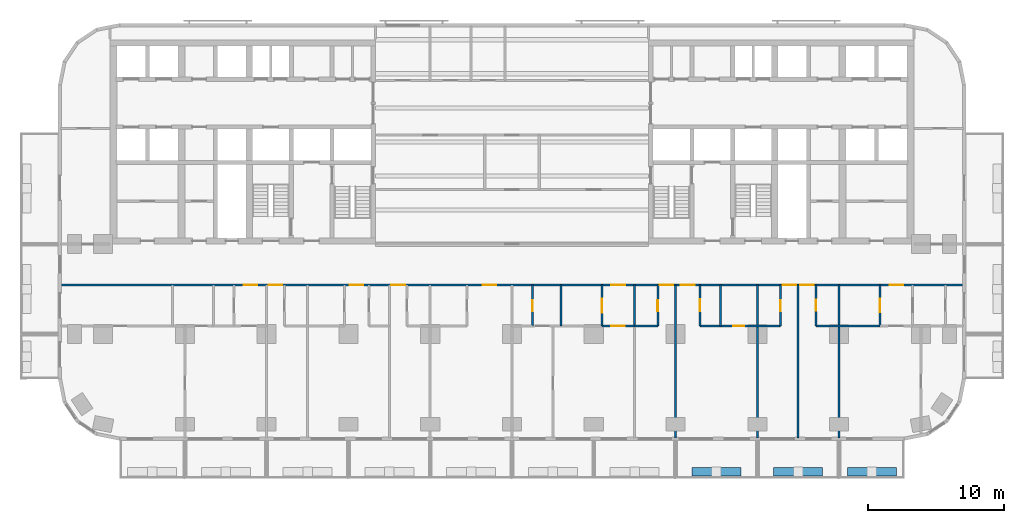
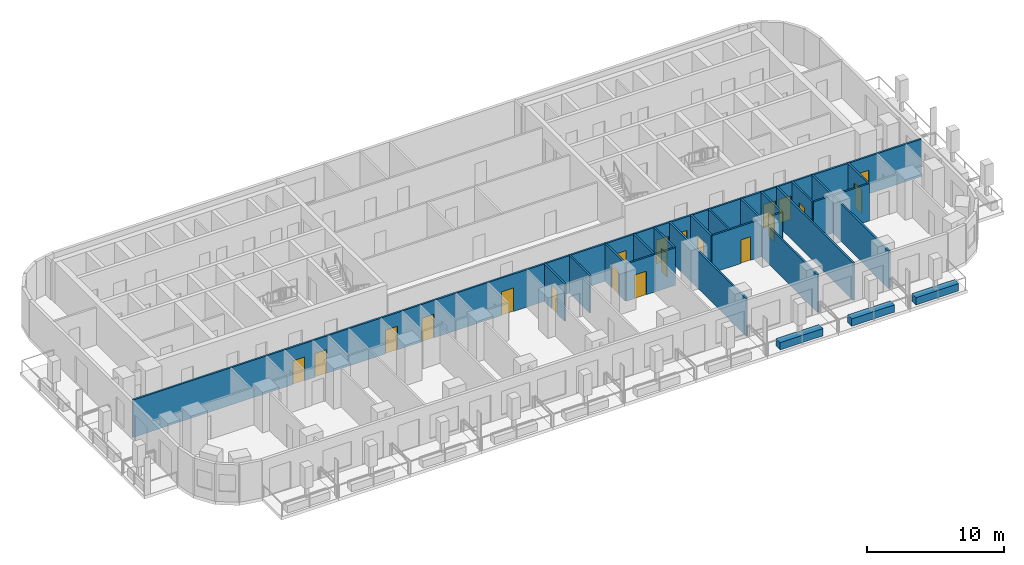
# One storey, part 6 of 15: 22 walls, 20 doors, 20 openings.
"""IFC4 building model written with IfcOpenShell, lengths in metres."""

from ifc_helpers import new_model, si_unit, direction, frame, frame_2d, origin, place, context, subcontext, project, spatial, rectangle, extrude, material, layer, layer_set, type_object, element, fill, save


model = new_model("IFC4")

# Units and contexts
model_context = context("Model", 3, precision=1e-05, world=origin(), true_north=direction((0.0, 1.0)))
body_context = subcontext(model_context, "Body", "Model", "MODEL_VIEW")
ifc_project = project(units=[si_unit("LENGTHUNIT", "METRE"), si_unit("AREAUNIT", "SQUARE_METRE"), si_unit("VOLUMEUNIT", "CUBIC_METRE"), si_unit("PLANEANGLEUNIT", "RADIAN"), si_unit("MASSUNIT", "GRAM", prefix="KILO")], contexts=[model_context])

# Site, building, storey
site_placement = place(None, origin())
site = spatial("IfcSite", under=ifc_project, at=site_placement, CompositionType="ELEMENT")
building_placement = place(site_placement, origin())
building = spatial("IfcBuilding", under=site, at=building_placement, Name="Torana Hotel and Residences", CompositionType="ELEMENT")
storey_placement = place(building_placement, frame((0.0, 0.0, 67.199951171875)))
storey = spatial("IfcBuildingStorey", under=building, at=storey_placement, Name="L16", CompositionType="ELEMENT", Elevation=67.199951171875)

# Wall, opening, door
ifc_material_1 = material(Name="Gypsum plaster")
ifc_layer_1 = layer(ifc_material_1, 0.014892578125, Name="Plaster", Category="finish")
ifc_material_2 = material(Name="Concrete blockwork", Category="masonry")
ifc_layer_2 = layer(ifc_material_2, 0.1201171875, Name="Blockwork", Category="structure")
ifc_layer_3 = layer(ifc_material_1, 0.014892578125, Name="Plaster", Category="finish")
ifc_layer_set_1 = layer_set([ifc_layer_1, ifc_layer_2, ifc_layer_3], Name="FIRE PARTITION 150 BLOCKWORK")
wall_type_1 = type_object("IfcWallType", Name="FIRE PARTITION 150 BLOCKWORK", PredefinedType="PARTITIONING", material=ifc_layer_set_1)
wall_1_placement = place(storey_placement, frame((27.0, -21.0, 0.0), z_axis=(0.0, 0.0, 1.0), x_axis=(0.0, 1.0, 0.0)))
wall_1 = element("IfcWall", 1, at=wall_1_placement, inside=storey, type_object=wall_type_1, Name="Partition L16", PredefinedType="PARTITIONING", context=body_context, shape_type="SweptSolid", body=[
    extrude(rectangle(XDim=3.0, YDim=0.14990234375, at=frame_2d((1.5, 0.0))), origin(), (0.0, 0.0, 1.0), 3.320068359375),
])
opening_1_placement = place(wall_1_placement, frame((1.0, 0.0, 0.0)))
opening_1 = element("IfcOpeningElement", 2, at=opening_1_placement, cuts=wall_1, Name="Opening L16-81", PredefinedType="OPENING", context=body_context, shape_type="SweptSolid", body=[
    extrude(rectangle(XDim=1.0, YDim=2.10009765625, at=frame_2d((0.5, 1.050048828125))), frame((0.0, 0.0849609375, 0.0), z_axis=(0.0, -1.0, 0.0), x_axis=(1.0, 0.0, 0.0)), (0.0, 0.0, 1.0), 0.169921875),
])
ifc_material_3 = material(Name="Steel S235", Category="steel")
door_type_1 = type_object("IfcDoorType", Name="ENTRY FIRE DOOR D6 1000x2100", OperationType="SINGLE_SWING_LEFT", PredefinedType="DOOR", material=ifc_material_3)
door_1_placement = place(opening_1_placement, origin())
door_1 = element("IfcDoor", 3, at=door_1_placement, inside=storey, type_object=door_type_1, Name="Door L16", OperationType="SINGLE_SWING_RIGHT", OverallHeight=2.10009765625, OverallWidth=1.0, PredefinedType="DOOR", context=body_context, shape_type="SweptSolid", body=[
    extrude(rectangle(XDim=1.0, YDim=2.10009765625, at=frame_2d((0.5, 1.050048828125))), frame((0.0, 0.02490234375, 0.0), z_axis=(0.0, -1.0, 0.0), x_axis=(1.0, 0.0, 0.0)), (0.0, 0.0, 1.0), 0.050048828125),
])
fill(opening_1, door_1)

# Wall
wall_2_placement = place(storey_placement, frame((9.0, -21.0, 0.0), z_axis=(0.0, 0.0, 1.0), x_axis=(0.0, 1.0, 0.0)))
element("IfcWall", 4, at=wall_2_placement, inside=storey, type_object=wall_type_1, Name="Partition L16", PredefinedType="PARTITIONING", context=body_context, shape_type="SweptSolid", body=[
    extrude(rectangle(XDim=3.0, YDim=0.14990234375, at=frame_2d((1.5, 0.0))), origin(), (0.0, 0.0, 1.0), 3.320068359375),
])

# Wall, opening, door
wall_3_placement = place(storey_placement, frame((6.60009765625, -21.0, 0.0), z_axis=(0.0, 0.0, 1.0), x_axis=(0.0, 1.0, 0.0)))
wall_3 = element("IfcWall", 5, at=wall_3_placement, inside=storey, type_object=wall_type_1, Name="Partition L16", PredefinedType="PARTITIONING", context=body_context, shape_type="SweptSolid", body=[
    extrude(rectangle(XDim=3.0, YDim=0.14990234375, at=frame_2d((1.5, 0.0))), origin(), (0.0, 0.0, 1.0), 3.320068359375),
])
opening_2_placement = place(wall_3_placement, frame((0.97998046875, 0.0, 0.0)))
opening_2 = element("IfcOpeningElement", 6, at=opening_2_placement, cuts=wall_3, Name="Opening L16-68", PredefinedType="OPENING", context=body_context, shape_type="SweptSolid", body=[
    extrude(rectangle(XDim=1.0, YDim=2.10009765625, at=frame_2d((0.5, 1.050048828125))), frame((0.0, 0.0849609375, 0.0), z_axis=(0.0, -1.0, 0.0), x_axis=(1.0, 0.0, 0.0)), (0.0, 0.0, 1.0), 0.169921875),
])
door_2_placement = place(opening_2_placement, origin())
door_2 = element("IfcDoor", 7, at=door_2_placement, inside=storey, type_object=door_type_1, Name="Door L16", OperationType="SINGLE_SWING_RIGHT", OverallHeight=2.10009765625, OverallWidth=1.0, PredefinedType="DOOR", context=body_context, shape_type="SweptSolid", body=[
    extrude(rectangle(XDim=1.0, YDim=2.10009765625, at=frame_2d((0.5, 1.050048828125))), frame((0.0, 0.02490234375, 0.0), z_axis=(0.0, -1.0, 0.0), x_axis=(1.0, 0.0, 0.0)), (0.0, 0.0, 1.0), 0.050048828125),
])
fill(opening_2, door_2)

wall_4_placement = place(storey_placement, frame((6.60009765625, -21.0, 0.0), z_axis=(0.0, 0.0, 1.0), x_axis=(1.0, 0.0, 0.0)))
wall_4 = element("IfcWall", 8, at=wall_4_placement, inside=storey, type_object=wall_type_1, Name="Partition L16", PredefinedType="PARTITIONING", context=body_context, shape_type="SweptSolid", body=[
    extrude(rectangle(XDim=2.39990234375, YDim=0.14990234375, at=frame_2d((1.199951171875, 0.0))), origin(), (0.0, 0.0, 1.0), 3.320068359375),
])
opening_3_placement = place(wall_4_placement, frame((0.679931640625, 0.0, 0.0)))
opening_3 = element("IfcOpeningElement", 9, at=opening_3_placement, cuts=wall_4, Name="Opening L16-69", PredefinedType="OPENING", context=body_context, shape_type="SweptSolid", body=[
    extrude(rectangle(XDim=1.0, YDim=2.10009765625, at=frame_2d((0.5, 1.050048828125))), frame((0.0, 0.0849609375, 0.0), z_axis=(0.0, -1.0, 0.0), x_axis=(1.0, 0.0, 0.0)), (0.0, 0.0, 1.0), 0.169921875),
])
door_3_placement = place(opening_3_placement, frame((0.5, 0.0, 0.0), z_axis=(0.0, 0.0, 1.0), x_axis=(-1.0, 0.0, 0.0)))
door_3 = element("IfcDoor", 10, at=door_3_placement, inside=storey, type_object=door_type_1, Name="Door L16", OperationType="SINGLE_SWING_LEFT", OverallHeight=2.10009765625, OverallWidth=1.0, PredefinedType="DOOR", context=body_context, shape_type="SweptSolid", body=[
    extrude(rectangle(XDim=1.0, YDim=2.10009765625, at=frame_2d((0.0, 1.050048828125))), frame((0.0, -0.02490234375, 0.0), z_axis=(0.0, 1.0, 0.0), x_axis=(-1.0, 0.0, 0.0)), (0.0, 0.0, 1.0), 0.050048828125),
])
fill(opening_3, door_3)

# Wall, openings, doors
wall_5_placement = place(storey_placement, frame((-33.1201171875, -18.0, 0.0), z_axis=(0.0, 0.0, 1.0), x_axis=(1.0, 0.0, 0.0)))
wall_5 = element("IfcWall", 11, at=wall_5_placement, inside=storey, type_object=wall_type_1, Name="Partition L16", PredefinedType="PARTITIONING", context=body_context, shape_type="SweptSolid", body=[
    extrude(rectangle(XDim=66.240234375, YDim=0.14990234375, at=frame_2d((33.1201171875, 0.0))), origin(), (0.0, 0.0, 1.0), 3.320068359375),
])
opening_4_placement = place(wall_5_placement, frame((15.27001953125, 0.0, 0.0)))
opening_4 = element("IfcOpeningElement", 12, at=opening_4_placement, cuts=wall_5, Name="Opening L16-40", PredefinedType="OPENING", context=body_context, shape_type="SweptSolid", body=[
    extrude(rectangle(XDim=1.0, YDim=2.10009765625, at=frame_2d((0.5, 1.050048828125))), frame((0.0, 0.0849609375, 0.0), z_axis=(0.0, -1.0, 0.0), x_axis=(1.0, 0.0, 0.0)), (0.0, 0.0, 1.0), 0.169921875),
])
opening_5_placement = place(wall_5_placement, frame((21.219970703125, 0.0, 0.0)))
opening_5 = element("IfcOpeningElement", 13, at=opening_5_placement, cuts=wall_5, Name="Opening L16-41", PredefinedType="OPENING", context=body_context, shape_type="SweptSolid", body=[
    extrude(rectangle(XDim=1.0, YDim=2.10009765625, at=frame_2d((0.5, 1.050048828125))), frame((0.0, 0.0849609375, 0.0), z_axis=(0.0, -1.0, 0.0), x_axis=(1.0, 0.0, 0.0)), (0.0, 0.0, 1.0), 0.169921875),
])
opening_6_placement = place(wall_5_placement, frame((24.27001953125, 0.0, 0.0)))
opening_6 = element("IfcOpeningElement", 14, at=opening_6_placement, cuts=wall_5, Name="Opening L16-42", PredefinedType="OPENING", context=body_context, shape_type="SweptSolid", body=[
    extrude(rectangle(XDim=1.0, YDim=2.10009765625, at=frame_2d((0.5, 1.050048828125))), frame((0.0, 0.0849609375, 0.0), z_axis=(0.0, -1.0, 0.0), x_axis=(1.0, 0.0, 0.0)), (0.0, 0.0, 1.0), 0.169921875),
])
opening_7_placement = place(wall_5_placement, frame((30.969970703125, 0.0, 0.0)))
opening_7 = element("IfcOpeningElement", 15, at=opening_7_placement, cuts=wall_5, Name="Opening L16-43", PredefinedType="OPENING", context=body_context, shape_type="SweptSolid", body=[
    extrude(rectangle(XDim=1.0, YDim=2.10009765625, at=frame_2d((0.5, 1.050048828125))), frame((0.0, 0.0849609375, 0.0), z_axis=(0.0, -1.0, 0.0), x_axis=(1.0, 0.0, 0.0)), (0.0, 0.0, 1.0), 0.169921875),
])
opening_8_placement = place(wall_5_placement, frame((40.419921875, 0.0, 0.0)))
opening_8 = element("IfcOpeningElement", 16, at=opening_8_placement, cuts=wall_5, Name="Opening L16-44", PredefinedType="OPENING", context=body_context, shape_type="SweptSolid", body=[
    extrude(rectangle(XDim=1.0, YDim=2.10009765625, at=frame_2d((0.5, 1.050048828125))), frame((0.0, 0.0849609375, 0.0), z_axis=(0.0, -1.0, 0.0), x_axis=(1.0, 0.0, 0.0)), (0.0, 0.0, 1.0), 0.169921875),
])
opening_9_placement = place(wall_5_placement, frame((43.969970703125, 0.0, 0.0)))
opening_9 = element("IfcOpeningElement", 17, at=opening_9_placement, cuts=wall_5, Name="Opening L16-45", PredefinedType="OPENING", context=body_context, shape_type="SweptSolid", body=[
    extrude(rectangle(XDim=1.0, YDim=2.10009765625, at=frame_2d((0.5, 1.050048828125))), frame((0.0, 0.0849609375, 0.0), z_axis=(0.0, -1.0, 0.0), x_axis=(1.0, 0.0, 0.0)), (0.0, 0.0, 1.0), 0.169921875),
])
opening_10_placement = place(wall_5_placement, frame((45.52001953125, 0.0, 0.0)))
opening_10 = element("IfcOpeningElement", 18, at=opening_10_placement, cuts=wall_5, Name="Opening L16-46", PredefinedType="OPENING", context=body_context, shape_type="SweptSolid", body=[
    extrude(rectangle(XDim=1.0, YDim=2.10009765625, at=frame_2d((0.5, 1.050048828125))), frame((0.0, 0.0849609375, 0.0), z_axis=(0.0, -1.0, 0.0), x_axis=(1.0, 0.0, 0.0)), (0.0, 0.0, 1.0), 0.169921875),
])
opening_11_placement = place(wall_5_placement, frame((52.969970703125, 0.0, 0.0)))
opening_11 = element("IfcOpeningElement", 19, at=opening_11_placement, cuts=wall_5, Name="Opening L16-47", PredefinedType="OPENING", context=body_context, shape_type="SweptSolid", body=[
    extrude(rectangle(XDim=1.0, YDim=2.10009765625, at=frame_2d((0.5, 1.050048828125))), frame((0.0, 0.0849609375, 0.0), z_axis=(0.0, -1.0, 0.0), x_axis=(1.0, 0.0, 0.0)), (0.0, 0.0, 1.0), 0.169921875),
])
opening_12_placement = place(wall_5_placement, frame((54.27001953125, 0.0, 0.0)))
opening_12 = element("IfcOpeningElement", 20, at=opening_12_placement, cuts=wall_5, Name="Opening L16-48", PredefinedType="OPENING", context=body_context, shape_type="SweptSolid", body=[
    extrude(rectangle(XDim=1.0, YDim=2.10009765625, at=frame_2d((0.5, 1.050048828125))), frame((0.0, 0.0849609375, 0.0), z_axis=(0.0, -1.0, 0.0), x_axis=(1.0, 0.0, 0.0)), (0.0, 0.0, 1.0), 0.169921875),
])
opening_13_placement = place(wall_5_placement, frame((13.419921875, 0.0, 0.0)))
opening_13 = element("IfcOpeningElement", 21, at=opening_13_placement, cuts=wall_5, Name="Opening L16-49", PredefinedType="OPENING", context=body_context, shape_type="SweptSolid", body=[
    extrude(rectangle(XDim=1.0, YDim=2.10009765625, at=frame_2d((0.5, 1.050048828125))), frame((0.0, 0.0849609375, 0.0), z_axis=(0.0, -1.0, 0.0), x_axis=(1.0, 0.0, 0.0)), (0.0, 0.0, 1.0), 0.169921875),
])
opening_14_placement = place(wall_5_placement, frame((60.820068359375, 0.0, 0.0)))
opening_14 = element("IfcOpeningElement", 22, at=opening_14_placement, cuts=wall_5, Name="Opening L16-50", PredefinedType="OPENING", context=body_context, shape_type="SweptSolid", body=[
    extrude(rectangle(XDim=1.0, YDim=2.10009765625, at=frame_2d((0.5, 1.050048828125))), frame((0.0, 0.0849609375, 0.0), z_axis=(0.0, -1.0, 0.0), x_axis=(1.0, 0.0, 0.0)), (0.0, 0.0, 1.0), 0.169921875),
])
door_4_placement = place(opening_4_placement, frame((0.5, 0.0, 0.0), z_axis=(0.0, 0.0, 1.0), x_axis=(-1.0, 0.0, 0.0)))
door_4 = element("IfcDoor", 23, at=door_4_placement, inside=storey, type_object=door_type_1, Name="Door L16", OperationType="SINGLE_SWING_LEFT", OverallHeight=2.10009765625, OverallWidth=1.0, PredefinedType="DOOR", context=body_context, shape_type="SweptSolid", body=[
    extrude(rectangle(XDim=1.0, YDim=2.10009765625, at=frame_2d((0.0, 1.050048828125))), frame((0.0, -0.02490234375, 0.0), z_axis=(0.0, 1.0, 0.0), x_axis=(-1.0, 0.0, 0.0)), (0.0, 0.0, 1.0), 0.050048828125),
])
fill(opening_4, door_4)
door_5_placement = place(opening_5_placement, frame((0.5, 0.0, 0.0), z_axis=(0.0, 0.0, 1.0), x_axis=(-1.0, 0.0, 0.0)))
door_5 = element("IfcDoor", 24, at=door_5_placement, inside=storey, type_object=door_type_1, Name="Door L16", OperationType="SINGLE_SWING_LEFT", OverallHeight=2.10009765625, OverallWidth=1.0, PredefinedType="DOOR", context=body_context, shape_type="SweptSolid", body=[
    extrude(rectangle(XDim=1.0, YDim=2.10009765625, at=frame_2d((0.0, 1.050048828125))), frame((0.0, -0.02490234375, 0.0), z_axis=(0.0, 1.0, 0.0), x_axis=(-1.0, 0.0, 0.0)), (0.0, 0.0, 1.0), 0.050048828125),
])
fill(opening_5, door_5)
door_6_placement = place(opening_6_placement, frame((0.5, 0.0, 0.0), z_axis=(0.0, 0.0, 1.0), x_axis=(-1.0, 0.0, 0.0)))
door_6 = element("IfcDoor", 25, at=door_6_placement, inside=storey, type_object=door_type_1, Name="Door L16", OperationType="SINGLE_SWING_LEFT", OverallHeight=2.10009765625, OverallWidth=1.0, PredefinedType="DOOR", context=body_context, shape_type="SweptSolid", body=[
    extrude(rectangle(XDim=1.0, YDim=2.10009765625, at=frame_2d((0.0, 1.050048828125))), frame((0.0, -0.02490234375, 0.0), z_axis=(0.0, 1.0, 0.0), x_axis=(-1.0, 0.0, 0.0)), (0.0, 0.0, 1.0), 0.050048828125),
])
fill(opening_6, door_6)
door_7_placement = place(opening_7_placement, frame((0.5, 0.0, 0.0), z_axis=(0.0, 0.0, 1.0), x_axis=(-1.0, 0.0, 0.0)))
door_7 = element("IfcDoor", 26, at=door_7_placement, inside=storey, type_object=door_type_1, Name="Door L16", OperationType="SINGLE_SWING_LEFT", OverallHeight=2.10009765625, OverallWidth=1.0, PredefinedType="DOOR", context=body_context, shape_type="SweptSolid", body=[
    extrude(rectangle(XDim=1.0, YDim=2.10009765625, at=frame_2d((0.0, 1.050048828125))), frame((0.0, -0.02490234375, 0.0), z_axis=(0.0, 1.0, 0.0), x_axis=(-1.0, 0.0, 0.0)), (0.0, 0.0, 1.0), 0.050048828125),
])
fill(opening_7, door_7)
door_8_placement = place(opening_8_placement, origin())
door_8 = element("IfcDoor", 27, at=door_8_placement, inside=storey, type_object=door_type_1, Name="Door L16", OperationType="SINGLE_SWING_RIGHT", OverallHeight=2.10009765625, OverallWidth=1.0, PredefinedType="DOOR", context=body_context, shape_type="SweptSolid", body=[
    extrude(rectangle(XDim=1.0, YDim=2.10009765625, at=frame_2d((0.5, 1.050048828125))), frame((0.0, 0.02490234375, 0.0), z_axis=(0.0, -1.0, 0.0), x_axis=(1.0, 0.0, 0.0)), (0.0, 0.0, 1.0), 0.050048828125),
])
fill(opening_8, door_8)
door_9_placement = place(opening_9_placement, frame((0.5, 0.0, 0.0), z_axis=(0.0, 0.0, 1.0), x_axis=(-1.0, 0.0, 0.0)))
door_9 = element("IfcDoor", 28, at=door_9_placement, inside=storey, type_object=door_type_1, Name="Door L16", OperationType="SINGLE_SWING_LEFT", OverallHeight=2.10009765625, OverallWidth=1.0, PredefinedType="DOOR", context=body_context, shape_type="SweptSolid", body=[
    extrude(rectangle(XDim=1.0, YDim=2.10009765625, at=frame_2d((0.0, 1.050048828125))), frame((0.0, -0.02490234375, 0.0), z_axis=(0.0, 1.0, 0.0), x_axis=(-1.0, 0.0, 0.0)), (0.0, 0.0, 1.0), 0.050048828125),
])
fill(opening_9, door_9)
door_10_placement = place(opening_10_placement, frame((0.5, 0.0, 0.0), z_axis=(0.0, 0.0, 1.0), x_axis=(-1.0, 0.0, 0.0)))
door_10 = element("IfcDoor", 29, at=door_10_placement, inside=storey, type_object=door_type_1, Name="Door L16", OperationType="SINGLE_SWING_LEFT", OverallHeight=2.10009765625, OverallWidth=1.0, PredefinedType="DOOR", context=body_context, shape_type="SweptSolid", body=[
    extrude(rectangle(XDim=1.0, YDim=2.10009765625, at=frame_2d((0.0, 1.050048828125))), frame((0.0, -0.02490234375, 0.0), z_axis=(0.0, 1.0, 0.0), x_axis=(-1.0, 0.0, 0.0)), (0.0, 0.0, 1.0), 0.050048828125),
])
fill(opening_10, door_10)
door_11_placement = place(opening_11_placement, frame((0.5, 0.0, 0.0), z_axis=(0.0, 0.0, 1.0), x_axis=(-1.0, 0.0, 0.0)))
door_11 = element("IfcDoor", 30, at=door_11_placement, inside=storey, type_object=door_type_1, Name="Door L16", OperationType="SINGLE_SWING_LEFT", OverallHeight=2.10009765625, OverallWidth=1.0, PredefinedType="DOOR", context=body_context, shape_type="SweptSolid", body=[
    extrude(rectangle(XDim=1.0, YDim=2.10009765625, at=frame_2d((0.0, 1.050048828125))), frame((0.0, -0.02490234375, 0.0), z_axis=(0.0, 1.0, 0.0), x_axis=(-1.0, 0.0, 0.0)), (0.0, 0.0, 1.0), 0.050048828125),
])
fill(opening_11, door_11)
door_12_placement = place(opening_12_placement, frame((0.5, 0.0, 0.0), z_axis=(0.0, 0.0, 1.0), x_axis=(-1.0, 0.0, 0.0)))
door_12 = element("IfcDoor", 31, at=door_12_placement, inside=storey, type_object=door_type_1, Name="Door L16", OperationType="SINGLE_SWING_LEFT", OverallHeight=2.10009765625, OverallWidth=1.0, PredefinedType="DOOR", context=body_context, shape_type="SweptSolid", body=[
    extrude(rectangle(XDim=1.0, YDim=2.10009765625, at=frame_2d((0.0, 1.050048828125))), frame((0.0, -0.02490234375, 0.0), z_axis=(0.0, 1.0, 0.0), x_axis=(-1.0, 0.0, 0.0)), (0.0, 0.0, 1.0), 0.050048828125),
])
fill(opening_12, door_12)
door_13_placement = place(opening_13_placement, origin())
door_13 = element("IfcDoor", 32, at=door_13_placement, inside=storey, type_object=door_type_1, Name="Door L16", OperationType="SINGLE_SWING_RIGHT", OverallHeight=2.10009765625, OverallWidth=1.0, PredefinedType="DOOR", context=body_context, shape_type="SweptSolid", body=[
    extrude(rectangle(XDim=1.0, YDim=2.10009765625, at=frame_2d((0.5, 1.050048828125))), frame((0.0, 0.02490234375, 0.0), z_axis=(0.0, -1.0, 0.0), x_axis=(1.0, 0.0, 0.0)), (0.0, 0.0, 1.0), 0.050048828125),
])
fill(opening_13, door_13)
door_14_placement = place(opening_14_placement, origin())
door_14 = element("IfcDoor", 33, at=door_14_placement, inside=storey, type_object=door_type_1, Name="Door L16", OperationType="SINGLE_SWING_RIGHT", OverallHeight=2.10009765625, OverallWidth=1.0, PredefinedType="DOOR", context=body_context, shape_type="SweptSolid", body=[
    extrude(rectangle(XDim=1.0, YDim=2.10009765625, at=frame_2d((0.5, 1.050048828125))), frame((0.0, 0.02490234375, 0.0), z_axis=(0.0, -1.0, 0.0), x_axis=(1.0, 0.0, 0.0)), (0.0, 0.0, 1.0), 0.050048828125),
])
fill(opening_14, door_14)

# Wall
ifc_material_4 = material(Name="Gypsum plasterboard")
ifc_layer_4 = layer(ifc_material_4, 0.012451171875, Name="Plasterboard", Category="finish")
ifc_layer_5 = layer(ifc_material_4, 0.012451171875, Name="Plasterboard", Category="finish")
ifc_material_5 = material(Name="Steel S280GD", Category="steel")
ifc_layer_6 = layer(ifc_material_5, 0.10009765625, Name="Steel studs with mineral wool", Category="insulation")
ifc_layer_7 = layer(ifc_material_4, 0.012451171875, Name="Plasterboard", Category="finish")
ifc_layer_8 = layer(ifc_material_4, 0.012451171875, Name="Plasterboard", Category="finish")
ifc_layer_set_2 = layer_set([ifc_layer_4, ifc_layer_5, ifc_layer_6, ifc_layer_7, ifc_layer_8], Name="PARTITION 150 PLASTERBOARD")
wall_type_2 = type_object("IfcWallType", Name="PARTITION 150 PLASTERBOARD", PredefinedType="PARTITIONING", material=ifc_layer_set_2)
wall_6_placement = place(storey_placement, frame((24.0, -29.219970703125, 0.0), z_axis=(0.0, 0.0, 1.0), x_axis=(0.0, 1.0, 0.0)))
element("IfcWall", 34, at=wall_6_placement, inside=storey, type_object=wall_type_2, Name="Partition L16", PredefinedType="PARTITIONING", context=body_context, shape_type="SweptSolid", body=[
    extrude(rectangle(XDim=11.219970703125, YDim=0.14990234375, at=frame_2d((5.60986328125, 0.0))), origin(), (0.0, 0.0, 1.0), 3.320068359375),
])

# Wall, opening, door
wall_7_placement = place(storey_placement, frame((22.300048828125, -21.0, 0.0), z_axis=(0.0, 0.0, 1.0), x_axis=(0.0, 1.0, 0.0)))
wall_7 = element("IfcWall", 35, at=wall_7_placement, inside=storey, type_object=wall_type_2, Name="Partition L16", PredefinedType="PARTITIONING", context=body_context, shape_type="SweptSolid", body=[
    extrude(rectangle(XDim=3.0, YDim=0.14990234375, at=frame_2d((1.5, 0.0))), origin(), (0.0, 0.0, 1.0), 3.320068359375),
])
opening_15_placement = place(wall_7_placement, frame((1.1201171875, 0.0, 0.0)))
opening_15 = element("IfcOpeningElement", 36, at=opening_15_placement, cuts=wall_7, Name="Opening L16-75", PredefinedType="OPENING", context=body_context, shape_type="SweptSolid", body=[
    extrude(rectangle(XDim=0.800048828125, YDim=2.10009765625, at=frame_2d((0.39990234375, 1.050048828125))), frame((0.0, 0.0849609375, 0.0), z_axis=(0.0, -1.0, 0.0), x_axis=(1.0, 0.0, 0.0)), (0.0, 0.0, 1.0), 0.169921875),
])
ifc_material_6 = material(Name="Timber door, painted", Category="wood")
door_type_2 = type_object("IfcDoorType", Name="BATH DOOR D13 800x2100", OperationType="SINGLE_SWING_LEFT", PredefinedType="DOOR", material=ifc_material_6)
door_15_placement = place(opening_15_placement, origin())
door_15 = element("IfcDoor", 37, at=door_15_placement, inside=storey, type_object=door_type_2, Name="Door L16", OperationType="SINGLE_SWING_LEFT", OverallHeight=2.10009765625, OverallWidth=0.800048828125, PredefinedType="DOOR", context=body_context, shape_type="SweptSolid", body=[
    extrude(rectangle(XDim=0.800048828125, YDim=2.10009765625, at=frame_2d((0.39990234375, 1.050048828125))), frame((0.0, 0.02490234375, 0.0), z_axis=(0.0, -1.0, 0.0), x_axis=(1.0, 0.0, 0.0)), (0.0, 0.0, 1.0), 0.050048828125),
])
fill(opening_15, door_15)

# Wall
wall_8_placement = place(storey_placement, frame((21.0, -29.219970703125, 0.0), z_axis=(0.0, 0.0, 1.0), x_axis=(0.0, 1.0, 0.0)))
element("IfcWall", 38, at=wall_8_placement, inside=storey, type_object=wall_type_2, Name="Partition L16", PredefinedType="PARTITIONING", context=body_context, shape_type="SweptSolid", body=[
    extrude(rectangle(XDim=11.219970703125, YDim=0.14990234375, at=frame_2d((5.60986328125, 0.0))), origin(), (0.0, 0.0, 1.0), 3.320068359375),
])

# Wall, opening, door
wall_9_placement = place(storey_placement, frame((19.699951171875, -21.0, 0.0), z_axis=(0.0, 0.0, 1.0), x_axis=(0.0, 1.0, 0.0)))
wall_9 = element("IfcWall", 39, at=wall_9_placement, inside=storey, type_object=wall_type_2, Name="Partition L16", PredefinedType="PARTITIONING", context=body_context, shape_type="SweptSolid", body=[
    extrude(rectangle(XDim=3.0, YDim=0.14990234375, at=frame_2d((1.5, 0.0))), origin(), (0.0, 0.0, 1.0), 3.320068359375),
])
opening_16_placement = place(wall_9_placement, frame((1.080078125, 0.0, 0.0)))
opening_16 = element("IfcOpeningElement", 40, at=opening_16_placement, cuts=wall_9, Name="Opening L16-74", PredefinedType="OPENING", context=body_context, shape_type="SweptSolid", body=[
    extrude(rectangle(XDim=0.800048828125, YDim=2.10009765625, at=frame_2d((0.39990234375, 1.050048828125))), frame((0.0, 0.0849609375, 0.0), z_axis=(0.0, -1.0, 0.0), x_axis=(1.0, 0.0, 0.0)), (0.0, 0.0, 1.0), 0.169921875),
])
door_16_placement = place(opening_16_placement, origin())
door_16 = element("IfcDoor", 41, at=door_16_placement, inside=storey, type_object=door_type_2, Name="Door L16", OperationType="SINGLE_SWING_RIGHT", OverallHeight=2.10009765625, OverallWidth=0.800048828125, PredefinedType="DOOR", context=body_context, shape_type="SweptSolid", body=[
    extrude(rectangle(XDim=0.800048828125, YDim=2.10009765625, at=frame_2d((0.39990234375, 1.050048828125))), frame((0.0, 0.02490234375, 0.0), z_axis=(0.0, -1.0, 0.0), x_axis=(1.0, 0.0, 0.0)), (0.0, 0.0, 1.0), 0.050048828125),
])
fill(opening_16, door_16)

# Walls
wall_10_placement = place(storey_placement, frame((18.0, -29.219970703125, 0.0), z_axis=(0.0, 0.0, 1.0), x_axis=(0.0, 1.0, 0.0)))
element("IfcWall", 42, at=wall_10_placement, inside=storey, type_object=wall_type_2, Name="Partition L16", PredefinedType="PARTITIONING", context=body_context, shape_type="SweptSolid", body=[
    extrude(rectangle(XDim=11.219970703125, YDim=0.14990234375, at=frame_2d((5.60986328125, 0.0))), origin(), (0.0, 0.0, 1.0), 3.320068359375),
])
wall_11_placement = place(storey_placement, frame((15.300048828125, -21.0, 0.0), z_axis=(0.0, 0.0, 1.0), x_axis=(0.0, 1.0, 0.0)))
element("IfcWall", 43, at=wall_11_placement, inside=storey, type_object=wall_type_2, Name="Partition L16", PredefinedType="PARTITIONING", context=body_context, shape_type="SweptSolid", body=[
    extrude(rectangle(XDim=3.0, YDim=0.14990234375, at=frame_2d((1.5, 0.0))), origin(), (0.0, 0.0, 1.0), 3.320068359375),
])

# Wall, opening, door
wall_12_placement = place(storey_placement, frame((13.800048828125, -21.0, 0.0), z_axis=(0.0, 0.0, 1.0), x_axis=(0.0, 1.0, 0.0)))
wall_12 = element("IfcWall", 44, at=wall_12_placement, inside=storey, type_object=wall_type_2, Name="Partition L16", PredefinedType="PARTITIONING", context=body_context, shape_type="SweptSolid", body=[
    extrude(rectangle(XDim=3.0, YDim=0.14990234375, at=frame_2d((1.5, 0.0))), origin(), (0.0, 0.0, 1.0), 3.320068359375),
])
opening_17_placement = place(wall_12_placement, frame((1.070068359375, 0.0, 0.0)))
opening_17 = element("IfcOpeningElement", 45, at=opening_17_placement, cuts=wall_12, Name="Opening L16-72", PredefinedType="OPENING", context=body_context, shape_type="SweptSolid", body=[
    extrude(rectangle(XDim=0.89990234375, YDim=2.10009765625, at=frame_2d((0.449951171875, 1.050048828125))), frame((0.0, 0.0849609375, 0.0), z_axis=(0.0, -1.0, 0.0), x_axis=(1.0, 0.0, 0.0)), (0.0, 0.0, 1.0), 0.169921875),
])
ifc_material_7 = material(Name="Timber door, oiled ash", Category="wood")
door_type_3 = type_object("IfcDoorType", Name="ROOM DOOR D7 900x2100", OperationType="SINGLE_SWING_LEFT", PredefinedType="DOOR", material=ifc_material_7)
door_17_placement = place(opening_17_placement, origin())
door_17 = element("IfcDoor", 46, at=door_17_placement, inside=storey, type_object=door_type_3, Name="Door L16", OperationType="SINGLE_SWING_LEFT", OverallHeight=2.10009765625, OverallWidth=0.89990234375, PredefinedType="DOOR", context=body_context, shape_type="SweptSolid", body=[
    extrude(rectangle(XDim=0.89990234375, YDim=2.10009765625, at=frame_2d((0.449951171875, 1.050048828125))), frame((0.0, 0.02490234375, 0.0), z_axis=(0.0, -1.0, 0.0), x_axis=(1.0, 0.0, 0.0)), (0.0, 0.0, 1.0), 0.050048828125),
])
fill(opening_17, door_17)

# Wall
wall_13_placement = place(storey_placement, frame((12.0, -29.219970703125, 0.0), z_axis=(0.0, 0.0, 1.0), x_axis=(0.0, 1.0, 0.0)))
element("IfcWall", 47, at=wall_13_placement, inside=storey, type_object=wall_type_2, Name="Partition L16", PredefinedType="PARTITIONING", context=body_context, shape_type="SweptSolid", body=[
    extrude(rectangle(XDim=11.219970703125, YDim=0.14990234375, at=frame_2d((5.60986328125, 0.0))), origin(), (0.0, 0.0, 1.0), 3.320068359375),
])

# Wall, opening, door
wall_14_placement = place(storey_placement, frame((10.699951171875, -21.0, 0.0), z_axis=(0.0, 0.0, 1.0), x_axis=(0.0, 1.0, 0.0)))
wall_14 = element("IfcWall", 48, at=wall_14_placement, inside=storey, type_object=wall_type_2, Name="Partition L16", PredefinedType="PARTITIONING", context=body_context, shape_type="SweptSolid", body=[
    extrude(rectangle(XDim=3.0, YDim=0.14990234375, at=frame_2d((1.5, 0.0))), origin(), (0.0, 0.0, 1.0), 3.320068359375),
])
opening_18_placement = place(wall_14_placement, frame((1.080078125, 0.0, 0.0)))
opening_18 = element("IfcOpeningElement", 49, at=opening_18_placement, cuts=wall_14, Name="Opening L16-71", PredefinedType="OPENING", context=body_context, shape_type="SweptSolid", body=[
    extrude(rectangle(XDim=0.800048828125, YDim=2.10009765625, at=frame_2d((0.39990234375, 1.050048828125))), frame((0.0, 0.0849609375, 0.0), z_axis=(0.0, -1.0, 0.0), x_axis=(1.0, 0.0, 0.0)), (0.0, 0.0, 1.0), 0.169921875),
])
door_18_placement = place(opening_18_placement, origin())
door_18 = element("IfcDoor", 50, at=door_18_placement, inside=storey, type_object=door_type_2, Name="Door L16", OperationType="SINGLE_SWING_RIGHT", OverallHeight=2.10009765625, OverallWidth=0.800048828125, PredefinedType="DOOR", context=body_context, shape_type="SweptSolid", body=[
    extrude(rectangle(XDim=0.800048828125, YDim=2.10009765625, at=frame_2d((0.39990234375, 1.050048828125))), frame((0.0, 0.02490234375, 0.0), z_axis=(0.0, -1.0, 0.0), x_axis=(1.0, 0.0, 0.0)), (0.0, 0.0, 1.0), 0.050048828125),
])
fill(opening_18, door_18)

# Walls
wall_15_placement = place(storey_placement, frame((3.60009765625, -21.0, 0.0), z_axis=(0.0, 0.0, 1.0), x_axis=(0.0, 1.0, 0.0)))
element("IfcWall", 51, at=wall_15_placement, inside=storey, type_object=wall_type_2, Name="Partition L16", PredefinedType="PARTITIONING", context=body_context, shape_type="SweptSolid", body=[
    extrude(rectangle(XDim=3.0, YDim=0.14990234375, at=frame_2d((1.5, 0.0))), origin(), (0.0, 0.0, 1.0), 3.320068359375),
])
wall_16_placement = place(storey_placement, frame((9.0, -21.0, 0.0), z_axis=(0.0, 0.0, 1.0), x_axis=(1.0, 0.0, 0.0)))
element("IfcWall", 52, at=wall_16_placement, inside=storey, type_object=wall_type_2, Name="Partition L16", PredefinedType="PARTITIONING", context=body_context, shape_type="SweptSolid", body=[
    extrude(rectangle(XDim=1.699951171875, YDim=0.14990234375, at=frame_2d((0.85009765625, 0.0))), origin(), (0.0, 0.0, 1.0), 3.320068359375),
])

# Wall, opening, door
wall_17_placement = place(storey_placement, frame((13.800048828125, -21.0, 0.0), z_axis=(0.0, 0.0, 1.0), x_axis=(1.0, 0.0, 0.0)))
wall_17 = element("IfcWall", 53, at=wall_17_placement, inside=storey, type_object=wall_type_2, Name="Partition L16", PredefinedType="PARTITIONING", context=body_context, shape_type="SweptSolid", body=[
    extrude(rectangle(XDim=5.89990234375, YDim=0.14990234375, at=frame_2d((2.949951171875, 0.0))), origin(), (0.0, 0.0, 1.0), 3.320068359375),
])
opening_19_placement = place(wall_17_placement, frame((2.429931640625, 0.0, 0.0)))
opening_19 = element("IfcOpeningElement", 54, at=opening_19_placement, cuts=wall_17, Name="Opening L16-73", PredefinedType="OPENING", context=body_context, shape_type="SweptSolid", body=[
    extrude(rectangle(XDim=0.800048828125, YDim=2.10009765625, at=frame_2d((0.39990234375, 1.050048828125))), frame((0.0, 0.0849609375, 0.0), z_axis=(0.0, -1.0, 0.0), x_axis=(1.0, 0.0, 0.0)), (0.0, 0.0, 1.0), 0.169921875),
])
door_19_placement = place(opening_19_placement, origin())
door_19 = element("IfcDoor", 55, at=door_19_placement, inside=storey, type_object=door_type_2, Name="Door L16", OperationType="SINGLE_SWING_RIGHT", OverallHeight=2.10009765625, OverallWidth=0.800048828125, PredefinedType="DOOR", context=body_context, shape_type="SweptSolid", body=[
    extrude(rectangle(XDim=0.800048828125, YDim=2.10009765625, at=frame_2d((0.39990234375, 1.050048828125))), frame((0.0, 0.02490234375, 0.0), z_axis=(0.0, -1.0, 0.0), x_axis=(1.0, 0.0, 0.0)), (0.0, 0.0, 1.0), 0.050048828125),
])
fill(opening_19, door_19)

# Walls
wall_18_placement = place(storey_placement, frame((22.300048828125, -21.0, 0.0), z_axis=(0.0, 0.0, 1.0), x_axis=(1.0, 0.0, 0.0)))
element("IfcWall", 56, at=wall_18_placement, inside=storey, type_object=wall_type_2, Name="Partition L16", PredefinedType="PARTITIONING", context=body_context, shape_type="SweptSolid", body=[
    extrude(rectangle(XDim=4.699951171875, YDim=0.14990234375, at=frame_2d((2.35009765625, 0.0))), origin(), (0.0, 0.0, 1.0), 3.320068359375),
])
ifc_material_8 = material(Name="Concrete C40/50 precast", Category="concrete")
ifc_layer_9 = layer(ifc_material_8, 0.10009765625, Name="Planter shell", Category="structure")
ifc_material_9 = material(Name="Root resistant membrane")
ifc_layer_10 = layer(ifc_material_9, 0.00390625, Name="Waterproofing membrane", Category="membrane")
ifc_material_10 = material(Name="Drainage board with filter fleece")
ifc_layer_11 = layer(ifc_material_10, 0.02001953125, Name="Drainage board", Category="drainage")
ifc_material_11 = material(Name="Growing medium")
ifc_layer_12 = layer(ifc_material_11, 0.47607421875, Name="Planting substrate", Category="soil")
ifc_layer_set_3 = layer_set([ifc_layer_9, ifc_layer_10, ifc_layer_11, ifc_layer_12], Name="PL1 BALCONY PLANTER 600")
wall_type_3 = type_object("IfcWallType", Name="PL1 BALCONY PLANTER 600", PredefinedType="USERDEFINED", material=ifc_layer_set_3)
for number, where, z_axis, x_axis, name in (
    (57, (16.800048828125, -31.699951171875, 0.0), (0.0, 0.0, 1.0), (-1.0, 0.0, 0.0), "Planter 08"),
    (58, (22.800048828125, -31.699951171875, 0.0), (0.0, 0.0, 1.0), (-1.0, 0.0, 0.0), "Planter 09"),
):
    element("IfcWall", number, at=place(storey_placement, frame(where, z_axis=z_axis, x_axis=x_axis)), inside=storey, type_object=wall_type_3, Name=name, ObjectType="PLANTER", PredefinedType="USERDEFINED", context=body_context, shape_type="SweptSolid", body=[
        extrude(rectangle(XDim=3.60009765625, YDim=0.60009765625, at=frame_2d((1.800048828125, 0.0))), origin(), (0.0, 0.0, 1.0), 0.650146484375),
    ])
wall_19_placement = place(storey_placement, frame((28.199951171875, -31.699951171875, 0.0), z_axis=(0.0, 0.0, 1.0), x_axis=(-1.0, 0.0, 0.0)))
element("IfcWall", 59, at=wall_19_placement, inside=storey, type_object=wall_type_3, Name="Planter 10", ObjectType="PLANTER", PredefinedType="USERDEFINED", context=body_context, shape_type="SweptSolid", body=[
    extrude(rectangle(XDim=3.599853515625, YDim=0.60009765625, at=frame_2d((1.7998046875, 0.0))), origin(), (0.0, 0.0, 1.0), 0.650146484375),
])

# Wall, opening, door
ifc_material_12 = material(Name="Ceramic tile on adhesive")
ifc_layer_13 = layer(ifc_material_12, 0.010009765625, Name="Wall tile", Category="finish")
ifc_material_13 = material(Name="Cement render")
ifc_layer_14 = layer(ifc_material_13, 0.010009765625, Name="Render", Category="finish")
ifc_layer_15 = layer(ifc_material_2, 0.110107421875, Name="Blockwork", Category="structure")
ifc_layer_16 = layer(ifc_material_13, 0.010009765625, Name="Render", Category="finish")
ifc_layer_17 = layer(ifc_material_12, 0.010009765625, Name="Wall tile", Category="finish")
ifc_layer_set_4 = layer_set([ifc_layer_13, ifc_layer_14, ifc_layer_15, ifc_layer_16, ifc_layer_17], Name="WC PARTITION 150")
wall_type_4 = type_object("IfcWallType", Name="WC PARTITION 150", PredefinedType="PLUMBINGWALL", material=ifc_layer_set_4)
wall_20_placement = place(storey_placement, frame((1.5, -21.0, 0.0), z_axis=(0.0, 0.0, 1.0), x_axis=(0.0, 1.0, 0.0)))
wall_20 = element("IfcWall", 60, at=wall_20_placement, inside=storey, type_object=wall_type_4, Name="Partition L16", PredefinedType="PLUMBINGWALL", context=body_context, shape_type="SweptSolid", body=[
    extrude(rectangle(XDim=3.0, YDim=0.14990234375, at=frame_2d((1.5, 0.0))), origin(), (0.0, 0.0, 1.0), 3.320068359375),
])
opening_20_placement = place(wall_20_placement, frame((1.080078125, 0.0, 0.0)))
opening_20 = element("IfcOpeningElement", 61, at=opening_20_placement, cuts=wall_20, Name="Opening L16-66", PredefinedType="OPENING", context=body_context, shape_type="SweptSolid", body=[
    extrude(rectangle(XDim=0.800048828125, YDim=2.10009765625, at=frame_2d((0.39990234375, 1.050048828125))), frame((0.0, 0.0849609375, 0.0), z_axis=(0.0, -1.0, 0.0), x_axis=(1.0, 0.0, 0.0)), (0.0, 0.0, 1.0), 0.169921875),
])
door_20_placement = place(opening_20_placement, origin())
door_20 = element("IfcDoor", 62, at=door_20_placement, inside=storey, type_object=door_type_2, Name="Door L16", OperationType="SINGLE_SWING_RIGHT", OverallHeight=2.10009765625, OverallWidth=0.800048828125, PredefinedType="DOOR", context=body_context, shape_type="SweptSolid", body=[
    extrude(rectangle(XDim=0.800048828125, YDim=2.10009765625, at=frame_2d((0.39990234375, 1.050048828125))), frame((0.0, 0.02490234375, 0.0), z_axis=(0.0, -1.0, 0.0), x_axis=(1.0, 0.0, 0.0)), (0.0, 0.0, 1.0), 0.050048828125),
])
fill(opening_20, door_20)

save(model, "model.ifc")
